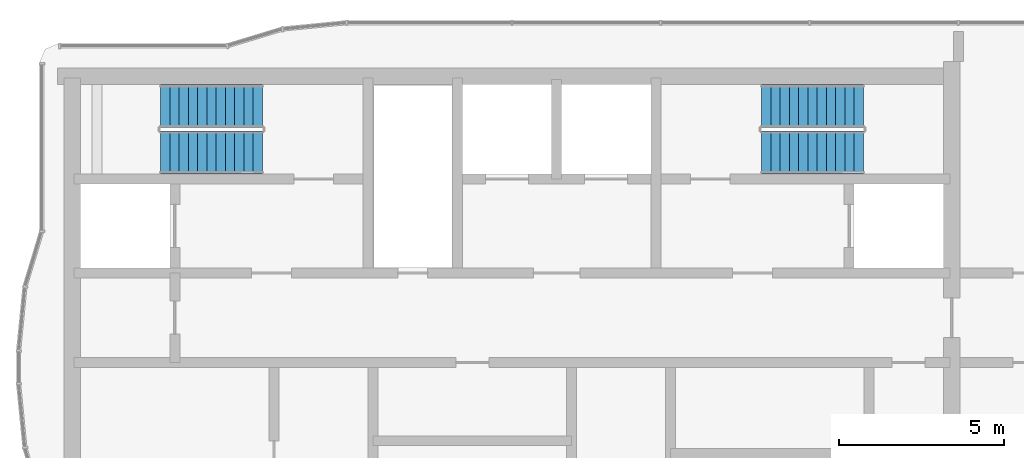
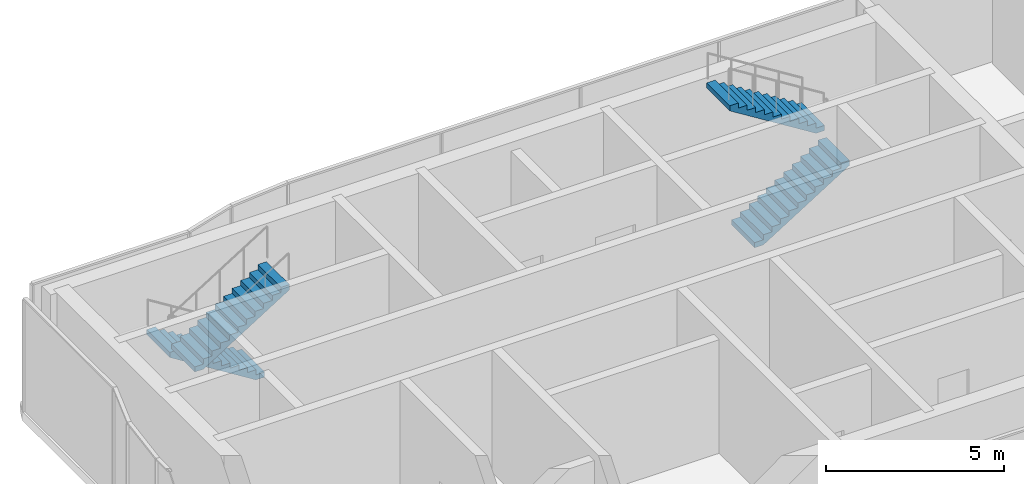
# One storey, part 13 of 14: 4 stair flights, 2 elements without a shape of their own.
"""IFC4 building model written with IfcOpenShell, lengths in metres."""

from ifc_helpers import new_model, si_unit, direction, frame, origin, place, context, subcontext, project, spatial, triangles, source, transform, mapped, material, type_object, element, aggregate, save


model = new_model("IFC4")

# Units and contexts
model_context = context("Model", 3, precision=1e-05, world=origin(), true_north=direction((0.0, 1.0)))
body_context = subcontext(model_context, "Body", "Model", "MODEL_VIEW")
ifc_project = project(units=[si_unit("LENGTHUNIT", "METRE"), si_unit("AREAUNIT", "SQUARE_METRE"), si_unit("VOLUMEUNIT", "CUBIC_METRE"), si_unit("PLANEANGLEUNIT", "RADIAN"), si_unit("MASSUNIT", "GRAM", prefix="KILO")], contexts=[model_context])

# Site, building, storey
site_placement = place(None, origin())
site = spatial("IfcSite", under=ifc_project, at=site_placement, CompositionType="ELEMENT")
building_placement = place(site_placement, origin())
building = spatial("IfcBuilding", under=site, at=building_placement, Name="Ogive Portal Towers", CompositionType="ELEMENT")
storey_placement = place(building_placement, frame((0.0, 0.0, 277.10009765625)))
storey = spatial("IfcBuildingStorey", under=building, at=storey_placement, Name="L67", CompositionType="ELEMENT", Elevation=277.10009765625)

# Stair, stair flights
ifc_material = material(Name="Concrete C40/50", Category="concrete")
stair_type = type_object("IfcStairType", Name="INT-STAIR", PredefinedType="HALF_TURN_STAIR", material=ifc_material)
stair_1_placement = place(storey_placement, origin())
stair_1 = element("IfcStair", 1, at=stair_1_placement, inside=storey, type_object=stair_type, Name="L67 Exit Stair ST-A1", PredefinedType="HALF_TURN_STAIR")
stair_flight_type = type_object("IfcStairFlightType", Name="INT-FLIGHT", PredefinedType="STRAIGHT", material=ifc_material)
shared_shape = source(origin(), body_context, "Body", "Tessellation", [
    triangles([(0.0, -0.650146484375, 0.0), (0.0, -0.376220703125, 0.0), (0.0, -0.192626953125, 0.0), (0.0, -0.081298828125, 0.0), (0.0, -0.024169921875, 0.0), (0.0, -0.003173828125, 0.0), (0.0, 0.0, 0.0), (0.0, 0.0029296875, 0.0), (0.0, 0.02392578125, 0.0), (0.0, 0.0810546875, 0.0), (0.0, 0.1923828125, 0.0), (0.0, 0.3759765625, 0.0), (0.0, 0.64990234375, 0.0), (0.0, -0.650146484375, 0.175048828125), (0.0, -0.376220703125, 0.175048828125), (0.0, -0.192626953125, 0.175048828125), (0.0, -0.081298828125, 0.175048828125), (0.0, -0.024169921875, 0.175048828125), (0.0, -0.003173828125, 0.175048828125), (0.0, 0.0, 0.175048828125), (0.0, 0.0029296875, 0.175048828125), (0.0, 0.02392578125, 0.175048828125), (0.0, 0.0810546875, 0.175048828125), (0.0, 0.1923828125, 0.175048828125), (0.0, 0.3759765625, 0.175048828125), (0.0, 0.64990234375, 0.175048828125), (0.280029296875, -0.650146484375, 0.175048828125), (0.280029296875, -0.376220703125, 0.175048828125), (0.280029296875, -0.192626953125, 0.175048828125), (0.280029296875, -0.081298828125, 0.175048828125), (0.280029296875, -0.024169921875, 0.175048828125), (0.280029296875, -0.003173828125, 0.175048828125), (0.280029296875, 0.0, 0.175048828125), (0.280029296875, 0.0029296875, 0.175048828125), (0.280029296875, 0.02392578125, 0.175048828125), (0.280029296875, 0.0810546875, 0.175048828125), (0.280029296875, 0.1923828125, 0.175048828125), (0.280029296875, 0.3759765625, 0.175048828125), (0.280029296875, 0.64990234375, 0.175048828125), (0.280029296875, -0.650146484375, 0.35009765625), (0.280029296875, -0.376220703125, 0.35009765625), (0.280029296875, -0.192626953125, 0.35009765625), (0.280029296875, -0.081298828125, 0.35009765625), (0.280029296875, -0.024169921875, 0.35009765625), (0.280029296875, -0.003173828125, 0.35009765625), (0.280029296875, 0.0, 0.35009765625), (0.280029296875, 0.0029296875, 0.35009765625), (0.280029296875, 0.02392578125, 0.35009765625), (0.280029296875, 0.0810546875, 0.35009765625), (0.280029296875, 0.1923828125, 0.35009765625), (0.280029296875, 0.3759765625, 0.35009765625), (0.280029296875, 0.64990234375, 0.35009765625), (0.56005859375, -0.650146484375, 0.35009765625), (0.56005859375, -0.376220703125, 0.35009765625), (0.56005859375, -0.192626953125, 0.35009765625), (0.56005859375, -0.081298828125, 0.35009765625), (0.56005859375, -0.024169921875, 0.35009765625), (0.56005859375, -0.003173828125, 0.35009765625), (0.56005859375, 0.0, 0.35009765625), (0.56005859375, 0.0029296875, 0.35009765625), (0.56005859375, 0.02392578125, 0.35009765625), (0.56005859375, 0.0810546875, 0.35009765625), (0.56005859375, 0.1923828125, 0.35009765625), (0.56005859375, 0.3759765625, 0.35009765625), (0.56005859375, 0.64990234375, 0.35009765625), (0.56005859375, -0.650146484375, 0.52490234375), (0.56005859375, -0.376220703125, 0.52490234375), (0.56005859375, -0.192626953125, 0.52490234375), (0.56005859375, -0.081298828125, 0.52490234375), (0.56005859375, -0.024169921875, 0.52490234375), (0.56005859375, -0.003173828125, 0.52490234375), (0.56005859375, 0.0, 0.52490234375), (0.56005859375, 0.0029296875, 0.52490234375), (0.56005859375, 0.02392578125, 0.52490234375), (0.56005859375, 0.0810546875, 0.52490234375), (0.56005859375, 0.1923828125, 0.52490234375), (0.56005859375, 0.3759765625, 0.52490234375), (0.56005859375, 0.64990234375, 0.52490234375), (0.840087890625, -0.650146484375, 0.52490234375), (0.840087890625, -0.376220703125, 0.52490234375), (0.840087890625, -0.192626953125, 0.52490234375), (0.840087890625, -0.081298828125, 0.52490234375), (0.840087890625, -0.024169921875, 0.52490234375), (0.840087890625, -0.003173828125, 0.52490234375), (0.840087890625, 0.0, 0.52490234375), (0.840087890625, 0.0029296875, 0.52490234375), (0.840087890625, 0.02392578125, 0.52490234375), (0.840087890625, 0.0810546875, 0.52490234375), (0.840087890625, 0.1923828125, 0.52490234375), (0.840087890625, 0.3759765625, 0.52490234375), (0.840087890625, 0.64990234375, 0.52490234375), (0.840087890625, -0.650146484375, 0.699951171875), (0.840087890625, -0.376220703125, 0.699951171875), (0.840087890625, -0.192626953125, 0.699951171875), (0.840087890625, -0.081298828125, 0.699951171875), (0.840087890625, -0.024169921875, 0.699951171875), (0.840087890625, -0.003173828125, 0.699951171875), (0.840087890625, 0.0, 0.699951171875), (0.840087890625, 0.0029296875, 0.699951171875), (0.840087890625, 0.02392578125, 0.699951171875), (0.840087890625, 0.0810546875, 0.699951171875), (0.840087890625, 0.1923828125, 0.699951171875), (0.840087890625, 0.3759765625, 0.699951171875), (0.840087890625, 0.64990234375, 0.699951171875), (1.1201171875, -0.650146484375, 0.699951171875), (1.1201171875, -0.376220703125, 0.699951171875), (1.1201171875, -0.192626953125, 0.699951171875), (1.1201171875, -0.081298828125, 0.699951171875), (1.1201171875, -0.024169921875, 0.699951171875), (1.1201171875, -0.003173828125, 0.699951171875), (1.1201171875, 0.0, 0.699951171875), (1.1201171875, 0.0029296875, 0.699951171875), (1.1201171875, 0.02392578125, 0.699951171875), (1.1201171875, 0.0810546875, 0.699951171875), (1.1201171875, 0.1923828125, 0.699951171875), (1.1201171875, 0.3759765625, 0.699951171875), (1.1201171875, 0.64990234375, 0.699951171875), (1.1201171875, -0.650146484375, 0.875), (1.1201171875, -0.376220703125, 0.875), (1.1201171875, -0.192626953125, 0.875), (1.1201171875, -0.081298828125, 0.875), (1.1201171875, -0.024169921875, 0.875), (1.1201171875, -0.003173828125, 0.875), (1.1201171875, 0.0, 0.875), (1.1201171875, 0.0029296875, 0.875), (1.1201171875, 0.02392578125, 0.875), (1.1201171875, 0.0810546875, 0.875), (1.1201171875, 0.1923828125, 0.875), (1.1201171875, 0.3759765625, 0.875), (1.1201171875, 0.64990234375, 0.875), (1.39990234375, -0.650146484375, 0.875), (1.39990234375, -0.376220703125, 0.875), (1.39990234375, -0.192626953125, 0.875), (1.39990234375, -0.081298828125, 0.875), (1.39990234375, -0.024169921875, 0.875), (1.39990234375, -0.003173828125, 0.875), (1.39990234375, 0.0, 0.875), (1.39990234375, 0.0029296875, 0.875), (1.39990234375, 0.02392578125, 0.875), (1.39990234375, 0.0810546875, 0.875), (1.39990234375, 0.1923828125, 0.875), (1.39990234375, 0.3759765625, 0.875), (1.39990234375, 0.64990234375, 0.875), (1.39990234375, -0.650146484375, 1.050048828125), (1.39990234375, -0.376220703125, 1.050048828125), (1.39990234375, -0.192626953125, 1.050048828125), (1.39990234375, -0.081298828125, 1.050048828125), (1.39990234375, -0.024169921875, 1.050048828125), (1.39990234375, -0.003173828125, 1.050048828125), (1.39990234375, 0.0, 1.050048828125), (1.39990234375, 0.0029296875, 1.050048828125), (1.39990234375, 0.02392578125, 1.050048828125), (1.39990234375, 0.0810546875, 1.050048828125), (1.39990234375, 0.1923828125, 1.050048828125), (1.39990234375, 0.3759765625, 1.050048828125), (1.39990234375, 0.64990234375, 1.050048828125), (1.679931640625, -0.650146484375, 1.050048828125), (1.679931640625, -0.376220703125, 1.050048828125), (1.679931640625, -0.192626953125, 1.050048828125), (1.679931640625, -0.081298828125, 1.050048828125), (1.679931640625, -0.024169921875, 1.050048828125), (1.679931640625, -0.003173828125, 1.050048828125), (1.679931640625, 0.0, 1.050048828125), (1.679931640625, 0.0029296875, 1.050048828125), (1.679931640625, 0.02392578125, 1.050048828125), (1.679931640625, 0.0810546875, 1.050048828125), (1.679931640625, 0.1923828125, 1.050048828125), (1.679931640625, 0.3759765625, 1.050048828125), (1.679931640625, 0.64990234375, 1.050048828125), (1.679931640625, -0.650146484375, 1.22509765625), (1.679931640625, -0.376220703125, 1.22509765625), (1.679931640625, -0.192626953125, 1.22509765625), (1.679931640625, -0.081298828125, 1.22509765625), (1.679931640625, -0.024169921875, 1.22509765625), (1.679931640625, -0.003173828125, 1.22509765625), (1.679931640625, 0.0, 1.22509765625), (1.679931640625, 0.0029296875, 1.22509765625), (1.679931640625, 0.02392578125, 1.22509765625), (1.679931640625, 0.0810546875, 1.22509765625), (1.679931640625, 0.1923828125, 1.22509765625), (1.679931640625, 0.3759765625, 1.22509765625), (1.679931640625, 0.64990234375, 1.22509765625), (1.9599609375, -0.650146484375, 1.22509765625), (1.9599609375, -0.376220703125, 1.22509765625), (1.9599609375, -0.192626953125, 1.22509765625), (1.9599609375, -0.081298828125, 1.22509765625), (1.9599609375, -0.024169921875, 1.22509765625), (1.9599609375, -0.003173828125, 1.22509765625), (1.9599609375, 0.0, 1.22509765625), (1.9599609375, 0.0029296875, 1.22509765625), (1.9599609375, 0.02392578125, 1.22509765625), (1.9599609375, 0.0810546875, 1.22509765625), (1.9599609375, 0.1923828125, 1.22509765625), (1.9599609375, 0.3759765625, 1.22509765625), (1.9599609375, 0.64990234375, 1.22509765625), (1.9599609375, -0.650146484375, 1.39990234375), (1.9599609375, -0.376220703125, 1.39990234375), (1.9599609375, -0.192626953125, 1.39990234375), (1.9599609375, -0.081298828125, 1.39990234375), (1.9599609375, -0.024169921875, 1.39990234375), (1.9599609375, -0.003173828125, 1.39990234375), (1.9599609375, 0.0, 1.39990234375), (1.9599609375, 0.0029296875, 1.39990234375), (1.9599609375, 0.02392578125, 1.39990234375), (1.9599609375, 0.0810546875, 1.39990234375), (1.9599609375, 0.1923828125, 1.39990234375), (1.9599609375, 0.3759765625, 1.39990234375), (1.9599609375, 0.64990234375, 1.39990234375), (2.239990234375, -0.650146484375, 1.39990234375), (2.239990234375, -0.376220703125, 1.39990234375), (2.239990234375, -0.192626953125, 1.39990234375), (2.239990234375, -0.081298828125, 1.39990234375), (2.239990234375, -0.024169921875, 1.39990234375), (2.239990234375, -0.003173828125, 1.39990234375), (2.239990234375, 0.0, 1.39990234375), (2.239990234375, 0.0029296875, 1.39990234375), (2.239990234375, 0.02392578125, 1.39990234375), (2.239990234375, 0.0810546875, 1.39990234375), (2.239990234375, 0.1923828125, 1.39990234375), (2.239990234375, 0.3759765625, 1.39990234375), (2.239990234375, 0.64990234375, 1.39990234375), (2.239990234375, -0.650146484375, 1.574951171875), (2.239990234375, -0.376220703125, 1.574951171875), (2.239990234375, -0.192626953125, 1.574951171875), (2.239990234375, -0.081298828125, 1.574951171875), (2.239990234375, -0.024169921875, 1.574951171875), (2.239990234375, -0.003173828125, 1.574951171875), (2.239990234375, 0.0, 1.574951171875), (2.239990234375, 0.0029296875, 1.574951171875), (2.239990234375, 0.02392578125, 1.574951171875), (2.239990234375, 0.0810546875, 1.574951171875), (2.239990234375, 0.1923828125, 1.574951171875), (2.239990234375, 0.3759765625, 1.574951171875), (2.239990234375, 0.64990234375, 1.574951171875), (2.52001953125, -0.650146484375, 1.574951171875), (2.52001953125, -0.376220703125, 1.574951171875), (2.52001953125, -0.192626953125, 1.574951171875), (2.52001953125, -0.081298828125, 1.574951171875), (2.52001953125, -0.024169921875, 1.574951171875), (2.52001953125, -0.003173828125, 1.574951171875), (2.52001953125, 0.0, 1.574951171875), (2.52001953125, 0.0029296875, 1.574951171875), (2.52001953125, 0.02392578125, 1.574951171875), (2.52001953125, 0.0810546875, 1.574951171875), (2.52001953125, 0.1923828125, 1.574951171875), (2.52001953125, 0.3759765625, 1.574951171875), (2.52001953125, 0.64990234375, 1.574951171875), (2.52001953125, -0.650146484375, 1.75), (2.52001953125, -0.376220703125, 1.75), (2.52001953125, -0.192626953125, 1.75), (2.52001953125, -0.081298828125, 1.75), (2.52001953125, -0.024169921875, 1.75), (2.52001953125, -0.003173828125, 1.75), (2.52001953125, 0.0, 1.75), (2.52001953125, 0.0029296875, 1.75), (2.52001953125, 0.02392578125, 1.75), (2.52001953125, 0.0810546875, 1.75), (2.52001953125, 0.1923828125, 1.75), (2.52001953125, 0.3759765625, 1.75), (2.52001953125, 0.64990234375, 1.75), (2.800048828125, -0.650146484375, 1.75), (2.800048828125, -0.376220703125, 1.75), (2.800048828125, -0.192626953125, 1.75), (2.800048828125, -0.081298828125, 1.75), (2.800048828125, -0.024169921875, 1.75), (2.800048828125, -0.003173828125, 1.75), (2.800048828125, 0.0, 1.75), (2.800048828125, 0.0029296875, 1.75), (2.800048828125, 0.02392578125, 1.75), (2.800048828125, 0.0810546875, 1.75), (2.800048828125, 0.1923828125, 1.75), (2.800048828125, 0.3759765625, 1.75), (2.800048828125, 0.64990234375, 1.75), (2.800048828125, -0.650146484375, 1.925048828125), (2.800048828125, -0.376220703125, 1.925048828125), (2.800048828125, -0.192626953125, 1.925048828125), (2.800048828125, -0.081298828125, 1.925048828125), (2.800048828125, -0.024169921875, 1.925048828125), (2.800048828125, -0.003173828125, 1.925048828125), (2.800048828125, 0.0, 1.925048828125), (2.800048828125, 0.0029296875, 1.925048828125), (2.800048828125, 0.02392578125, 1.925048828125), (2.800048828125, 0.0810546875, 1.925048828125), (2.800048828125, 0.1923828125, 1.925048828125), (2.800048828125, 0.3759765625, 1.925048828125), (2.800048828125, 0.64990234375, 1.925048828125), (3.080078125, -0.650146484375, 1.925048828125), (3.080078125, -0.376220703125, 1.925048828125), (3.080078125, -0.192626953125, 1.925048828125), (3.080078125, -0.081298828125, 1.925048828125), (3.080078125, -0.024169921875, 1.925048828125), (3.080078125, -0.003173828125, 1.925048828125), (3.080078125, 0.0, 1.925048828125), (3.080078125, 0.0029296875, 1.925048828125), (3.080078125, 0.02392578125, 1.925048828125), (3.080078125, 0.0810546875, 1.925048828125), (3.080078125, 0.1923828125, 1.925048828125), (3.080078125, 0.3759765625, 1.925048828125), (3.080078125, 0.64990234375, 1.925048828125), (3.080078125, -0.650146484375, 1.748291015625), (3.080078125, -0.376220703125, 1.748291015625), (3.080078125, -0.192626953125, 1.748291015625), (3.080078125, -0.081298828125, 1.748291015625), (3.080078125, -0.024169921875, 1.748291015625), (3.080078125, -0.003173828125, 1.748291015625), (3.080078125, 0.0, 1.748291015625), (3.080078125, 0.0029296875, 1.748291015625), (3.080078125, 0.02392578125, 1.748291015625), (3.080078125, 0.0810546875, 1.748291015625), (3.080078125, 0.1923828125, 1.748291015625), (3.080078125, 0.3759765625, 1.748291015625), (3.080078125, 0.64990234375, 1.748291015625), (0.28271484375, -0.650146484375, 0.0), (0.28271484375, -0.376220703125, 0.0), (0.28271484375, -0.192626953125, 0.0), (0.28271484375, -0.081298828125, 0.0), (0.28271484375, -0.024169921875, 0.0), (0.28271484375, -0.003173828125, 0.0), (0.28271484375, 0.0, 0.0), (0.28271484375, 0.0029296875, 0.0), (0.28271484375, 0.02392578125, 0.0), (0.28271484375, 0.0810546875, 0.0), (0.28271484375, 0.1923828125, 0.0), (0.28271484375, 0.3759765625, 0.0), (0.28271484375, 0.64990234375, 0.0)], [[1, 14, 15], [1, 15, 2], [2, 15, 16], [2, 16, 3], [3, 16, 17], [3, 17, 4], [4, 17, 18], [4, 18, 5], [5, 18, 19], [5, 19, 6], [6, 19, 20], [6, 20, 7], [7, 20, 21], [7, 21, 8], [8, 21, 22], [8, 22, 9], [9, 22, 23], [9, 23, 10], [10, 23, 24], [10, 24, 11], [11, 24, 25], [11, 25, 12], [12, 25, 26], [12, 26, 13], [14, 27, 28], [14, 28, 15], [15, 28, 29], [15, 29, 16], [16, 29, 30], [16, 30, 17], [17, 30, 31], [17, 31, 18], [18, 31, 32], [18, 32, 19], [19, 32, 33], [19, 33, 20], [20, 33, 34], [20, 34, 21], [21, 34, 35], [21, 35, 22], [22, 35, 36], [22, 36, 23], [23, 36, 37], [23, 37, 24], [24, 37, 38], [24, 38, 25], [25, 38, 39], [25, 39, 26], [27, 40, 41], [27, 41, 28], [28, 41, 42], [28, 42, 29], [29, 42, 43], [29, 43, 30], [30, 43, 44], [30, 44, 31], [31, 44, 45], [31, 45, 32], [32, 45, 46], [32, 46, 33], [33, 46, 47], [33, 47, 34], [34, 47, 48], [34, 48, 35], [35, 48, 49], [35, 49, 36], [36, 49, 50], [36, 50, 37], [37, 50, 51], [37, 51, 38], [38, 51, 52], [38, 52, 39], [40, 53, 54], [40, 54, 41], [41, 54, 55], [41, 55, 42], [42, 55, 56], [42, 56, 43], [43, 56, 57], [43, 57, 44], [44, 57, 58], [44, 58, 45], [45, 58, 59], [45, 59, 46], [46, 59, 60], [46, 60, 47], [47, 60, 61], [47, 61, 48], [48, 61, 62], [48, 62, 49], [49, 62, 63], [49, 63, 50], [50, 63, 64], [50, 64, 51], [51, 64, 65], [51, 65, 52], [53, 66, 67], [53, 67, 54], [54, 67, 68], [54, 68, 55], [55, 68, 69], [55, 69, 56], [56, 69, 70], [56, 70, 57], [57, 70, 71], [57, 71, 58], [58, 71, 72], [58, 72, 59], [59, 72, 73], [59, 73, 60], [60, 73, 74], [60, 74, 61], [61, 74, 75], [61, 75, 62], [62, 75, 76], [62, 76, 63], [63, 76, 77], [63, 77, 64], [64, 77, 78], [64, 78, 65], [66, 79, 80], [66, 80, 67], [67, 80, 81], [67, 81, 68], [68, 81, 82], [68, 82, 69], [69, 82, 83], [69, 83, 70], [70, 83, 84], [70, 84, 71], [71, 84, 85], [71, 85, 72], [72, 85, 86], [72, 86, 73], [73, 86, 87], [73, 87, 74], [74, 87, 88], [74, 88, 75], [75, 88, 89], [75, 89, 76], [76, 89, 90], [76, 90, 77], [77, 90, 91], [77, 91, 78], [79, 92, 93], [79, 93, 80], [80, 93, 94], [80, 94, 81], [81, 94, 95], [81, 95, 82], [82, 95, 96], [82, 96, 83], [83, 96, 97], [83, 97, 84], [84, 97, 98], [84, 98, 85], [85, 98, 99], [85, 99, 86], [86, 99, 100], [86, 100, 87], [87, 100, 101], [87, 101, 88], [88, 101, 102], [88, 102, 89], [89, 102, 103], [89, 103, 90], [90, 103, 104], [90, 104, 91], [92, 105, 106], [92, 106, 93], [93, 106, 107], [93, 107, 94], [94, 107, 108], [94, 108, 95], [95, 108, 109], [95, 109, 96], [96, 109, 110], [96, 110, 97], [97, 110, 111], [97, 111, 98], [98, 111, 112], [98, 112, 99], [99, 112, 113], [99, 113, 100], [100, 113, 114], [100, 114, 101], [101, 114, 115], [101, 115, 102], [102, 115, 116], [102, 116, 103], [103, 116, 117], [103, 117, 104], [105, 118, 119], [105, 119, 106], [106, 119, 120], [106, 120, 107], [107, 120, 121], [107, 121, 108], [108, 121, 122], [108, 122, 109], [109, 122, 123], [109, 123, 110], [110, 123, 124], [110, 124, 111], [111, 124, 125], [111, 125, 112], [112, 125, 126], [112, 126, 113], [113, 126, 127], [113, 127, 114], [114, 127, 128], [114, 128, 115], [115, 128, 129], [115, 129, 116], [116, 129, 130], [116, 130, 117], [118, 131, 132], [118, 132, 119], [119, 132, 133], [119, 133, 120], [120, 133, 134], [120, 134, 121], [121, 134, 135], [121, 135, 122], [122, 135, 136], [122, 136, 123], [123, 136, 137], [123, 137, 124], [124, 137, 138], [124, 138, 125], [125, 138, 139], [125, 139, 126], [126, 139, 140], [126, 140, 127], [127, 140, 141], [127, 141, 128], [128, 141, 142], [128, 142, 129], [129, 142, 143], [129, 143, 130], [131, 144, 145], [131, 145, 132], [132, 145, 146], [132, 146, 133], [133, 146, 147], [133, 147, 134], [134, 147, 148], [134, 148, 135], [135, 148, 149], [135, 149, 136], [136, 149, 150], [136, 150, 137], [137, 150, 151], [137, 151, 138], [138, 151, 152], [138, 152, 139], [139, 152, 153], [139, 153, 140], [140, 153, 154], [140, 154, 141], [141, 154, 155], [141, 155, 142], [142, 155, 156], [142, 156, 143], [144, 157, 158], [144, 158, 145], [145, 158, 159], [145, 159, 146], [146, 159, 160], [146, 160, 147], [147, 160, 161], [147, 161, 148], [148, 161, 162], [148, 162, 149], [149, 162, 163], [149, 163, 150], [150, 163, 164], [150, 164, 151], [151, 164, 165], [151, 165, 152], [152, 165, 166], [152, 166, 153], [153, 166, 167], [153, 167, 154], [154, 167, 168], [154, 168, 155], [155, 168, 169], [155, 169, 156], [157, 170, 171], [157, 171, 158], [158, 171, 172], [158, 172, 159], [159, 172, 173], [159, 173, 160], [160, 173, 174], [160, 174, 161], [161, 174, 175], [161, 175, 162], [162, 175, 176], [162, 176, 163], [163, 176, 177], [163, 177, 164], [164, 177, 178], [164, 178, 165], [165, 178, 179], [165, 179, 166], [166, 179, 180], [166, 180, 167], [167, 180, 181], [167, 181, 168], [168, 181, 182], [168, 182, 169], [170, 183, 184], [170, 184, 171], [171, 184, 185], [171, 185, 172], [172, 185, 186], [172, 186, 173], [173, 186, 187], [173, 187, 174], [174, 187, 188], [174, 188, 175], [175, 188, 189], [175, 189, 176], [176, 189, 190], [176, 190, 177], [177, 190, 191], [177, 191, 178], [178, 191, 192], [178, 192, 179], [179, 192, 193], [179, 193, 180], [180, 193, 194], [180, 194, 181], [181, 194, 195], [181, 195, 182], [183, 196, 197], [183, 197, 184], [184, 197, 198], [184, 198, 185], [185, 198, 199], [185, 199, 186], [186, 199, 200], [186, 200, 187], [187, 200, 201], [187, 201, 188], [188, 201, 202], [188, 202, 189], [189, 202, 203], [189, 203, 190], [190, 203, 204], [190, 204, 191], [191, 204, 205], [191, 205, 192], [192, 205, 206], [192, 206, 193], [193, 206, 207], [193, 207, 194], [194, 207, 208], [194, 208, 195], [196, 209, 210], [196, 210, 197], [197, 210, 211], [197, 211, 198], [198, 211, 212], [198, 212, 199], [199, 212, 213], [199, 213, 200], [200, 213, 214], [200, 214, 201], [201, 214, 215], [201, 215, 202], [202, 215, 216], [202, 216, 203], [203, 216, 217], [203, 217, 204], [204, 217, 218], [204, 218, 205], [205, 218, 219], [205, 219, 206], [206, 219, 220], [206, 220, 207], [207, 220, 221], [207, 221, 208], [209, 222, 223], [209, 223, 210], [210, 223, 224], [210, 224, 211], [211, 224, 225], [211, 225, 212], [212, 225, 226], [212, 226, 213], [213, 226, 227], [213, 227, 214], [214, 227, 228], [214, 228, 215], [215, 228, 229], [215, 229, 216], [216, 229, 230], [216, 230, 217], [217, 230, 231], [217, 231, 218], [218, 231, 232], [218, 232, 219], [219, 232, 233], [219, 233, 220], [220, 233, 234], [220, 234, 221], [222, 235, 236], [222, 236, 223], [223, 236, 237], [223, 237, 224], [224, 237, 238], [224, 238, 225], [225, 238, 239], [225, 239, 226], [226, 239, 240], [226, 240, 227], [227, 240, 241], [227, 241, 228], [228, 241, 242], [228, 242, 229], [229, 242, 243], [229, 243, 230], [230, 243, 244], [230, 244, 231], [231, 244, 245], [231, 245, 232], [232, 245, 246], [232, 246, 233], [233, 246, 247], [233, 247, 234], [235, 248, 249], [235, 249, 236], [236, 249, 250], [236, 250, 237], [237, 250, 251], [237, 251, 238], [238, 251, 252], [238, 252, 239], [239, 252, 253], [239, 253, 240], [240, 253, 254], [240, 254, 241], [241, 254, 255], [241, 255, 242], [242, 255, 256], [242, 256, 243], [243, 256, 257], [243, 257, 244], [244, 257, 258], [244, 258, 245], [245, 258, 259], [245, 259, 246], [246, 259, 260], [246, 260, 247], [248, 261, 262], [248, 262, 249], [249, 262, 263], [249, 263, 250], [250, 263, 264], [250, 264, 251], [251, 264, 265], [251, 265, 252], [252, 265, 266], [252, 266, 253], [253, 266, 267], [253, 267, 254], [254, 267, 268], [254, 268, 255], [255, 268, 269], [255, 269, 256], [256, 269, 270], [256, 270, 257], [257, 270, 271], [257, 271, 258], [258, 271, 272], [258, 272, 259], [259, 272, 273], [259, 273, 260], [261, 274, 275], [261, 275, 262], [262, 275, 276], [262, 276, 263], [263, 276, 277], [263, 277, 264], [264, 277, 278], [264, 278, 265], [265, 278, 279], [265, 279, 266], [266, 279, 280], [266, 280, 267], [267, 280, 281], [267, 281, 268], [268, 281, 282], [268, 282, 269], [269, 282, 283], [269, 283, 270], [270, 283, 284], [270, 284, 271], [271, 284, 285], [271, 285, 272], [272, 285, 286], [272, 286, 273], [274, 287, 288], [274, 288, 275], [275, 288, 289], [275, 289, 276], [276, 289, 290], [276, 290, 277], [277, 290, 291], [277, 291, 278], [278, 291, 292], [278, 292, 279], [279, 292, 293], [279, 293, 280], [280, 293, 294], [280, 294, 281], [281, 294, 295], [281, 295, 282], [282, 295, 296], [282, 296, 283], [283, 296, 297], [283, 297, 284], [284, 297, 298], [284, 298, 285], [285, 298, 299], [285, 299, 286], [287, 300, 301], [287, 301, 288], [288, 301, 302], [288, 302, 289], [289, 302, 303], [289, 303, 290], [290, 303, 304], [290, 304, 291], [291, 304, 305], [291, 305, 292], [292, 305, 306], [292, 306, 293], [293, 306, 307], [293, 307, 294], [294, 307, 308], [294, 308, 295], [295, 308, 309], [295, 309, 296], [296, 309, 310], [296, 310, 297], [297, 310, 311], [297, 311, 298], [298, 311, 312], [298, 312, 299], [300, 313, 314], [300, 314, 301], [301, 314, 315], [301, 315, 302], [302, 315, 316], [302, 316, 303], [303, 316, 317], [303, 317, 304], [304, 317, 318], [304, 318, 305], [305, 318, 319], [305, 319, 306], [306, 319, 320], [306, 320, 307], [307, 320, 321], [307, 321, 308], [308, 321, 322], [308, 322, 309], [309, 322, 323], [309, 323, 310], [310, 323, 324], [310, 324, 311], [311, 324, 325], [311, 325, 312], [313, 1, 2], [313, 2, 314], [314, 2, 3], [314, 3, 315], [315, 3, 4], [315, 4, 316], [316, 4, 5], [316, 5, 317], [317, 5, 6], [317, 6, 318], [318, 6, 7], [318, 7, 319], [319, 7, 8], [319, 8, 320], [320, 8, 9], [320, 9, 321], [321, 9, 10], [321, 10, 322], [322, 10, 11], [322, 11, 323], [323, 11, 12], [323, 12, 324], [324, 12, 13], [324, 13, 325], [1, 313, 300], [13, 312, 325], [300, 287, 274], [312, 286, 299], [300, 274, 261], [312, 273, 286], [300, 261, 248], [312, 260, 273], [300, 248, 235], [312, 247, 260], [235, 222, 209], [247, 221, 234], [300, 235, 209], [312, 221, 247], [209, 196, 183], [221, 195, 208], [300, 209, 183], [312, 195, 221], [183, 170, 157], [195, 169, 182], [300, 183, 157], [312, 169, 195], [157, 144, 131], [169, 143, 156], [300, 157, 131], [312, 143, 169], [131, 118, 105], [143, 117, 130], [300, 131, 105], [312, 117, 143], [105, 92, 79], [117, 91, 104], [300, 105, 79], [312, 91, 117], [1, 300, 79], [13, 91, 312], [79, 66, 53], [91, 65, 78], [53, 40, 27], [65, 39, 52], [79, 53, 27], [91, 39, 65], [1, 79, 27], [13, 39, 91], [27, 14, 1], [39, 13, 26]], closed=True),
])
stair_flight_1_placement = place(storey_placement, frame((37.449951171875, 38.39990234375, 0.0), z_axis=(0.0, 0.0, 1.0), x_axis=(-1.0, 0.0, 0.0)))
stair_flight_1 = element("IfcStairFlight", 2, at=stair_flight_1_placement, type_object=stair_flight_type, Name="ST-A1 flight 1", NumberOfRisers=12, NumberOfTreads=11, PredefinedType="STRAIGHT", RiserHeight=0.175, TreadLength=0.28, context=body_context, shape_type="MappedRepresentation", body=[
    mapped(shared_shape, transform((0.0, 0.0, 0.0), scale=1.0)),
])
stair_flight_2_placement = place(storey_placement, frame((34.3701171875, 37.0, 2.099853515625), z_axis=(0.0, 0.0, 1.0), x_axis=(1.0, 0.0, 0.0)))
stair_flight_2 = element("IfcStairFlight", 3, at=stair_flight_2_placement, type_object=stair_flight_type, Name="ST-A1 flight 2", NumberOfRisers=12, NumberOfTreads=11, PredefinedType="STRAIGHT", RiserHeight=0.175, TreadLength=0.28, context=body_context, shape_type="MappedRepresentation", body=[
    mapped(shared_shape, transform((0.0, 0.0, 0.0), scale=1.0)),
])
aggregate(stair_1, [stair_flight_1, stair_flight_2])

stair_2_placement = place(storey_placement, origin())
stair_2 = element("IfcStair", 4, at=stair_2_placement, inside=storey, type_object=stair_type, Name="L67 Exit Stair ST-A2", PredefinedType="HALF_TURN_STAIR")
stair_flight_3_placement = place(storey_placement, frame((52.550048828125, 37.0, 0.0), z_axis=(0.0, 0.0, 1.0), x_axis=(1.0, 0.0, 0.0)))
stair_flight_3 = element("IfcStairFlight", 5, at=stair_flight_3_placement, type_object=stair_flight_type, Name="ST-A2 flight 1", NumberOfRisers=12, NumberOfTreads=11, PredefinedType="STRAIGHT", RiserHeight=0.175, TreadLength=0.28, context=body_context, shape_type="MappedRepresentation", body=[
    mapped(shared_shape, transform((0.0, 0.0, 0.0), scale=1.0)),
])
stair_flight_4_placement = place(storey_placement, frame((55.6298828125, 38.39990234375, 2.099853515625), z_axis=(0.0, 0.0, 1.0), x_axis=(-1.0, 0.0, 0.0)))
stair_flight_4 = element("IfcStairFlight", 6, at=stair_flight_4_placement, type_object=stair_flight_type, Name="ST-A2 flight 2", NumberOfRisers=12, NumberOfTreads=11, PredefinedType="STRAIGHT", RiserHeight=0.175, TreadLength=0.28, context=body_context, shape_type="MappedRepresentation", body=[
    mapped(shared_shape, transform((0.0, 0.0, 0.0), scale=1.0)),
])
aggregate(stair_2, [stair_flight_3, stair_flight_4])

save(model, "model.ifc")
